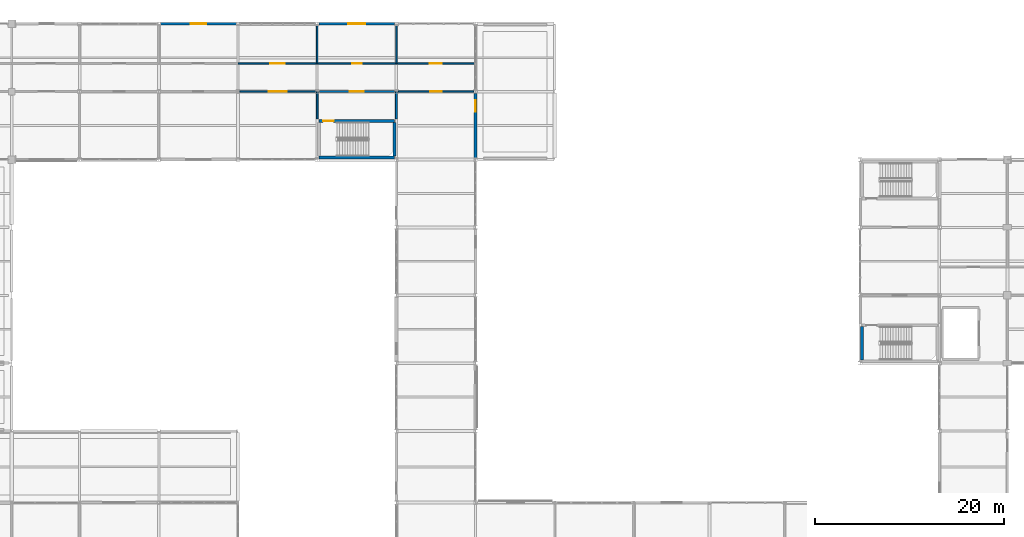
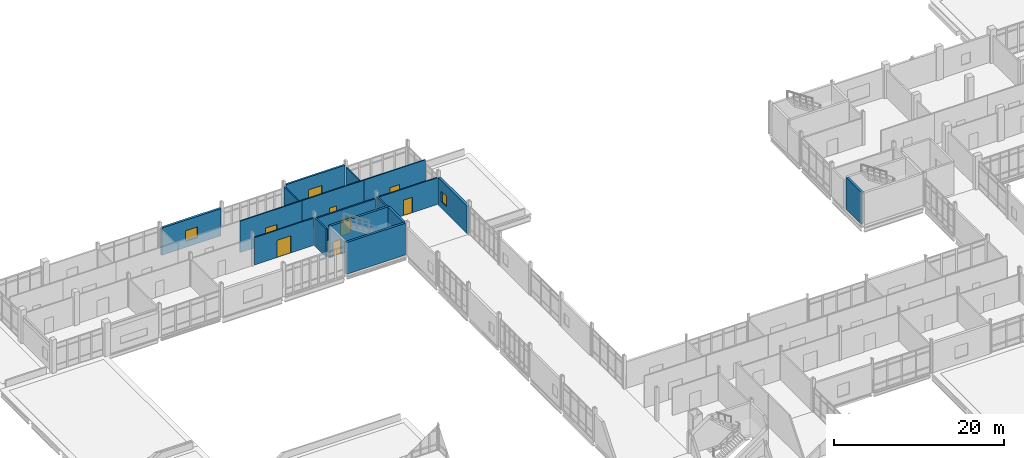
# One storey, part 165 of 186: 17 walls, 7 doors, 3 windows, 10 openings.
"""IFC4 building model written with IfcOpenShell, lengths in metres."""

from ifc_helpers import new_model, si_unit, direction, frame, frame_2d, origin, place, context, subcontext, project, spatial, rectangle, extrude, material, layer, layer_set, type_object, element, fill, save


model = new_model("IFC4")

# Units and contexts
model_context = context("Model", 3, precision=1e-05, world=origin(), true_north=direction((0.0, 1.0)))
body_context = subcontext(model_context, "Body", "Model", "MODEL_VIEW")
ifc_project = project(units=[si_unit("LENGTHUNIT", "METRE"), si_unit("AREAUNIT", "SQUARE_METRE"), si_unit("VOLUMEUNIT", "CUBIC_METRE"), si_unit("PLANEANGLEUNIT", "RADIAN"), si_unit("MASSUNIT", "GRAM", prefix="KILO")], contexts=[model_context])

# Site, building, storey
site_placement = place(None, origin())
site = spatial("IfcSite", under=ifc_project, at=site_placement, CompositionType="ELEMENT")
building_placement = place(site_placement, origin())
building = spatial("IfcBuilding", under=site, at=building_placement, Name="Calvrana Isthmian Art Gallery", CompositionType="ELEMENT")
storey_placement = place(building_placement, frame((0.0, 0.0, 5.39990234375)))
storey = spatial("IfcBuildingStorey", under=building, at=storey_placement, Name="L01", CompositionType="ELEMENT", Elevation=5.39990234375)

# Walls
ifc_material_1 = material(Name="Concrete C40/50", Category="concrete")
ifc_layer_1 = layer(ifc_material_1, 0.300048828125, Name="Concrete C40/50")
ifc_layer_set_1 = layer_set([ifc_layer_1], Name="Concrete C40/50")
wall_type_1 = type_object("IfcWallType", Name="CW-SHAFT-300", PredefinedType="SHEAR", material=ifc_layer_set_1)
wall_1_placement = place(storey_placement, frame((104.590087890625, 77.14990234375, 0.0), z_axis=(0.0, 0.0, 1.0), x_axis=(0.0, 1.0, 0.0)))
element("IfcWall", 1, at=wall_1_placement, inside=storey, type_object=wall_type_1, Name="Core C5 shear wall W L01", PredefinedType="SHEAR", context=body_context, shape_type="SweptSolid", body=[
    extrude(rectangle(XDim=3.52001953125, YDim=0.300048828125, at=frame_2d((1.760009765625, 0.0))), origin(), (0.0, 0.0, 1.0), 4.5400390625),
])
wall_2_placement = place(storey_placement, frame((46.989990234375, 98.60009765625, 0.0), z_axis=(0.0, 0.0, 1.0), x_axis=(1.0, 0.0, 0.0)))
element("IfcWall", 2, at=wall_2_placement, inside=storey, type_object=wall_type_1, Name="Core C6 shear wall S L01", PredefinedType="SHEAR", context=body_context, shape_type="SweptSolid", body=[
    extrude(rectangle(XDim=8.02001953125, YDim=0.300048828125, at=frame_2d((4.010009765625, 0.0))), origin(), (0.0, 0.0, 1.0), 4.5400390625),
])

# Wall, opening, door
wall_3_placement = place(storey_placement, frame((46.989990234375, 102.5, 0.0), z_axis=(0.0, 0.0, 1.0), x_axis=(1.0, 0.0, 0.0)))
wall_3 = element("IfcWall", 3, at=wall_3_placement, inside=storey, type_object=wall_type_1, Name="Core C6 shear wall N L01", PredefinedType="SHEAR", context=body_context, shape_type="SweptSolid", body=[
    extrude(rectangle(XDim=8.02001953125, YDim=0.300048828125, at=frame_2d((4.010009765625, 0.0))), origin(), (0.0, 0.0, 1.0), 4.5400390625),
])
opening_1_placement = place(wall_3_placement, frame((0.449951171875, 0.0, 0.0)))
opening_1 = element("IfcOpeningElement", 4, at=opening_1_placement, cuts=wall_3, Name="Opening D-170", PredefinedType="OPENING", context=body_context, shape_type="SweptSolid", body=[
    extrude(rectangle(XDim=1.10009765625, YDim=2.14990234375, at=frame_2d((0.550048828125, 1.074951171875))), frame((0.0, 0.16015625, 0.0), z_axis=(0.0, -1.0, 0.0), x_axis=(1.0, 0.0, 0.0)), (0.0, 0.0, 1.0), 0.320556640625),
])
ifc_material_2 = material(Name="Steel ASTM A572 Gr 50", Category="steel")
door_type_1 = type_object("IfcDoorType", Name="DR-FIRE-1100", OperationType="NOTDEFINED", PredefinedType="DOOR", material=ifc_material_2)
door_1_placement = place(opening_1_placement, origin())
door_1 = element("IfcDoor", 5, at=door_1_placement, inside=storey, type_object=door_type_1, Name="Stair ST-6 fire door L01", OperationType="SINGLE_SWING_RIGHT", OverallHeight=2.14990234375, OverallWidth=1.10009765625, PredefinedType="DOOR", context=body_context, shape_type="SweptSolid", body=[
    extrude(rectangle(XDim=1.10009765625, YDim=2.14990234375, at=frame_2d((0.550048828125, 1.074951171875))), frame((0.0, 0.02490234375, 0.0), z_axis=(0.0, -1.0, 0.0), x_axis=(1.0, 0.0, 0.0)), (0.0, 0.0, 1.0), 0.050048828125),
])
fill(opening_1, door_1)

# Wall
wall_4_placement = place(storey_placement, frame((55.010009765625, 98.75, 0.0), z_axis=(0.0, 0.0, 1.0), x_axis=(0.0, 1.0, 0.0)))
element("IfcWall", 6, at=wall_4_placement, inside=storey, type_object=wall_type_1, Name="Core C6 shear wall E L01", PredefinedType="SHEAR", context=body_context, shape_type="SweptSolid", body=[
    extrude(rectangle(XDim=3.60009765625, YDim=0.300048828125, at=frame_2d((1.800048828125, 0.0))), origin(), (0.0, 0.0, 1.0), 4.5400390625),
])

# Wall, opening, window
ifc_material_3 = material(Name="Pale Isthmian limestone", Category="masonry")
ifc_layer_2 = layer(ifc_material_3, 0.300048828125, Name="Pale Isthmian limestone")
ifc_layer_set_2 = layer_set([ifc_layer_2], Name="Pale Isthmian limestone")
wall_type_2 = type_object("IfcWallType", Name="EW-LIME-300", PredefinedType="SOLIDWALL", material=ifc_layer_set_2)
wall_5_placement = place(storey_placement, frame((30.185546875, 112.800048828125, 0.0), z_axis=(0.0, 0.0, 1.0), x_axis=(1.0, 0.0, 0.0)))
wall_5 = element("IfcWall", 7, at=wall_5_placement, inside=storey, type_object=wall_type_2, Name="Exterior wall EW-087", PredefinedType="SOLIDWALL", context=body_context, shape_type="SweptSolid", body=[
    extrude(rectangle(XDim=8.030517578125, YDim=0.300048828125, at=frame_2d((4.01513671875, 0.0))), origin(), (0.0, 0.0, 1.0), 3.908203125),
])
opening_2_placement = place(wall_5_placement, frame((3.190185546875, 0.0, 0.89990234375)))
opening_2 = element("IfcOpeningElement", 8, at=opening_2_placement, cuts=wall_5, Name="Opening W-051", PredefinedType="OPENING", context=body_context, shape_type="SweptSolid", body=[
    extrude(rectangle(XDim=1.64990234375, YDim=1.5, at=frame_2d((0.824951171875, 0.75))), frame((0.0, 0.16015625, 0.0), z_axis=(0.0, -1.0, 0.0), x_axis=(1.0, 0.0, 0.0)), (0.0, 0.0, 1.0), 0.320556640625),
])
ifc_material_4 = material(Name="Low-E laminated solar glass", Category="glass")
window_type_1 = type_object("IfcWindowType", Name="WN-G04", PartitioningType="SINGLE_PANEL", PredefinedType="WINDOW", material=ifc_material_4)
window_1_placement = place(opening_2_placement, origin())
window_1 = element("IfcWindow", 9, at=window_1_placement, inside=storey, type_object=window_type_1, Name="Facade window W-051", OverallHeight=1.5, OverallWidth=1.64990234375, PartitioningType="SINGLE_PANEL", PredefinedType="WINDOW", context=body_context, shape_type="SweptSolid", body=[
    extrude(rectangle(XDim=1.64990234375, YDim=1.5, at=frame_2d((0.824951171875, 0.75))), frame((0.0, 0.030029296875, 0.0), z_axis=(0.0, -1.0, 0.0), x_axis=(1.0, 0.0, 0.0)), (0.0, 0.0, 1.0), 0.06005859375),
])
fill(opening_2, window_1)

ifc_material_5 = material(Name="Precast concrete C40/50", Category="concrete")
ifc_layer_3 = layer(ifc_material_5, 0.35009765625, Name="Precast concrete C40/50")
ifc_layer_set_3 = layer_set([ifc_layer_3], Name="Precast concrete C40/50")
wall_type_3 = type_object("IfcWallType", Name="EW-PREC-350", PredefinedType="SOLIDWALL", material=ifc_layer_set_3)
wall_6_placement = place(storey_placement, frame((63.60009765625, 105.422119140625, 0.0), z_axis=(0.0, 0.0, 1.0), x_axis=(0.0, -1.0, 0.0)))
wall_6 = element("IfcWall", 10, at=wall_6_placement, inside=storey, type_object=wall_type_3, Name="Exterior wall EW-097", PredefinedType="SOLIDWALL", context=body_context, shape_type="SweptSolid", body=[
    extrude(rectangle(XDim=6.835693359375, YDim=0.35009765625, at=frame_2d((3.41796875, 0.0))), origin(), (0.0, 0.0, 1.0), 3.908203125),
])
opening_3_placement = place(wall_6_placement, frame((0.75, 0.0, 0.89990234375)))
opening_3 = element("IfcOpeningElement", 11, at=opening_3_placement, cuts=wall_6, Name="Opening W-061", PredefinedType="OPENING", context=body_context, shape_type="SweptSolid", body=[
    extrude(rectangle(XDim=1.199951171875, YDim=1.5, at=frame_2d((0.60009765625, 0.75))), frame((0.0, 0.185302734375, 0.0), z_axis=(0.0, -1.0, 0.0), x_axis=(1.0, 0.0, 0.0)), (0.0, 0.0, 1.0), 0.37060546875),
])
window_type_2 = type_object("IfcWindowType", Name="WN-G01", PartitioningType="SINGLE_PANEL", PredefinedType="WINDOW", material=ifc_material_4)
window_2_placement = place(opening_3_placement, origin())
window_2 = element("IfcWindow", 12, at=window_2_placement, inside=storey, type_object=window_type_2, Name="Facade window W-061", OverallHeight=1.5, OverallWidth=1.199951171875, PartitioningType="SINGLE_PANEL", PredefinedType="WINDOW", context=body_context, shape_type="SweptSolid", body=[
    extrude(rectangle(XDim=1.199951171875, YDim=1.5, at=frame_2d((0.60009765625, 0.75))), frame((0.0, 0.030029296875, 0.0), z_axis=(0.0, -1.0, 0.0), x_axis=(1.0, 0.0, 0.0)), (0.0, 0.0, 1.0), 0.06005859375),
])
fill(opening_3, window_2)

ifc_material_6 = material(Name="Polychrome glazed terracotta", Category="masonry")
ifc_layer_4 = layer(ifc_material_6, 0.25, Name="Polychrome glazed terracotta")
ifc_layer_set_4 = layer_set([ifc_layer_4], Name="Polychrome glazed terracotta")
wall_type_4 = type_object("IfcWallType", Name="EW-TERRA-250", PredefinedType="SOLIDWALL", material=ifc_layer_set_4)
wall_7_placement = place(storey_placement, frame((46.986572265625, 112.800048828125, 0.0), z_axis=(0.0, 0.0, 1.0), x_axis=(1.0, 0.0, 0.0)))
wall_7 = element("IfcWall", 13, at=wall_7_placement, inside=storey, type_object=wall_type_4, Name="Exterior wall EW-088", PredefinedType="SOLIDWALL", context=body_context, shape_type="SweptSolid", body=[
    extrude(rectangle(XDim=8.02685546875, YDim=0.25, at=frame_2d((4.013427734375, 0.0))), origin(), (0.0, 0.0, 1.0), 4.21533203125),
])
opening_4_placement = place(wall_7_placement, frame((3.113525390625, 0.0, 0.89990234375)))
opening_4 = element("IfcOpeningElement", 14, at=opening_4_placement, cuts=wall_7, Name="Opening W-052", PredefinedType="OPENING", context=body_context, shape_type="SweptSolid", body=[
    extrude(rectangle(XDim=1.800048828125, YDim=1.5, at=frame_2d((0.89990234375, 0.75))), frame((0.0, 0.13525390625, 0.0), z_axis=(0.0, -1.0, 0.0), x_axis=(1.0, 0.0, 0.0)), (0.0, 0.0, 1.0), 0.2705078125),
])
window_type_3 = type_object("IfcWindowType", Name="WN-G05", PartitioningType="DOUBLE_PANEL_VERTICAL", PredefinedType="WINDOW", material=ifc_material_4)
window_3_placement = place(opening_4_placement, origin())
window_3 = element("IfcWindow", 15, at=window_3_placement, inside=storey, type_object=window_type_3, Name="Facade window W-052", OverallHeight=1.5, OverallWidth=1.800048828125, PartitioningType="SINGLE_PANEL", PredefinedType="WINDOW", context=body_context, shape_type="SweptSolid", body=[
    extrude(rectangle(XDim=1.800048828125, YDim=1.5, at=frame_2d((0.89990234375, 0.75))), frame((0.0, 0.030029296875, 0.0), z_axis=(0.0, -1.0, 0.0), x_axis=(1.0, 0.0, 0.0)), (0.0, 0.0, 1.0), 0.06005859375),
])
fill(opening_4, window_3)

# Walls
ifc_material_7 = material(Name="Acoustic gypsum ceiling", Category="gypsum")
ifc_layer_5 = layer(ifc_material_7, 0.199951171875, Name="Acoustic gypsum ceiling")
ifc_layer_set_5 = layer_set([ifc_layer_5], Name="Acoustic gypsum ceiling")
wall_type_5 = type_object("IfcWallType", Name="PW-FIRE-200", PredefinedType="PARTITIONING", material=ifc_layer_set_5)
wall_8_placement = place(storey_placement, frame((46.800048828125, 102.719970703125, 0.0), z_axis=(0.0, 0.0, 1.0), x_axis=(0.0, 1.0, 0.0)))
element("IfcWall", 16, at=wall_8_placement, inside=storey, type_object=wall_type_5, Name="Core C6 lobby W closure L01", PredefinedType="PARTITIONING", context=body_context, shape_type="SweptSolid", body=[
    extrude(rectangle(XDim=2.860107421875, YDim=0.199951171875, at=frame_2d((1.43017578125, 0.0))), origin(), (0.0, 0.0, 1.0), 3.987060546875),
])
wall_9_placement = place(storey_placement, frame((55.199951171875, 102.719970703125, 0.0), z_axis=(0.0, 0.0, 1.0), x_axis=(0.0, 1.0, 0.0)))
element("IfcWall", 17, at=wall_9_placement, inside=storey, type_object=wall_type_5, Name="Core C6 lobby E closure L01", PredefinedType="PARTITIONING", context=body_context, shape_type="SweptSolid", body=[
    extrude(rectangle(XDim=2.860107421875, YDim=0.199951171875, at=frame_2d((1.43017578125, 0.0))), origin(), (0.0, 0.0, 1.0), 4.05810546875),
])

# Wall, opening, door
wall_10_placement = place(storey_placement, frame((47.02001953125, 105.60009765625, 0.0), z_axis=(0.0, 0.0, 1.0), x_axis=(1.0, 0.0, 0.0)))
wall_10 = element("IfcWall", 18, at=wall_10_placement, inside=storey, type_object=wall_type_5, Name="Core C6 lobby enclosure L01", PredefinedType="PARTITIONING", context=body_context, shape_type="SweptSolid", body=[
    extrude(rectangle(XDim=7.9599609375, YDim=0.199951171875, at=frame_2d((3.97998046875, 0.0))), origin(), (0.0, 0.0, 1.0), 3.758056640625),
])
opening_5_placement = place(wall_10_placement, frame((3.2548828125, 0.0, 0.0)))
opening_5 = element("IfcOpeningElement", 19, at=opening_5_placement, cuts=wall_10, Name="Opening D-171", PredefinedType="OPENING", context=body_context, shape_type="SweptSolid", body=[
    extrude(rectangle(XDim=1.449951171875, YDim=2.199951171875, at=frame_2d((0.72509765625, 1.10009765625))), frame((0.0, 0.1103515625, 0.0), z_axis=(0.0, -1.0, 0.0), x_axis=(1.0, 0.0, 0.0)), (0.0, 0.0, 1.0), 0.220458984375),
])
door_type_2 = type_object("IfcDoorType", Name="DR-LOBBY-1450", OperationType="DOUBLE_DOOR_SINGLE_SWING", PredefinedType="DOOR", material=ifc_material_2)
door_2_placement = place(opening_5_placement, origin())
door_2 = element("IfcDoor", 20, at=door_2_placement, inside=storey, type_object=door_type_2, Name="Core C6 lobby fire door L01", OperationType="DOUBLE_DOOR_SINGLE_SWING", OverallHeight=2.199951171875, OverallWidth=1.449951171875, PredefinedType="DOOR", context=body_context, shape_type="SweptSolid", body=[
    extrude(rectangle(XDim=1.449951171875, YDim=2.199951171875, at=frame_2d((0.72509765625, 1.10009765625))), frame((0.0, 0.02490234375, 0.0), z_axis=(0.0, -1.0, 0.0), x_axis=(1.0, 0.0, 0.0)), (0.0, 0.0, 1.0), 0.050048828125),
])
fill(opening_5, door_2)

ifc_layer_6 = layer(ifc_material_7, 0.159912109375, Name="Acoustic gypsum ceiling")
ifc_layer_set_6 = layer_set([ifc_layer_6], Name="Acoustic gypsum ceiling")
wall_type_6 = type_object("IfcWallType", Name="PW-GAL-160", PredefinedType="PARTITIONING", material=ifc_layer_set_6)
wall_11_placement = place(storey_placement, frame((38.6015625, 105.60009765625, 0.0), z_axis=(0.0, 0.0, 1.0), x_axis=(1.0, 0.0, 0.0)))
wall_11 = element("IfcWall", 21, at=wall_11_placement, inside=storey, type_object=wall_type_6, Name="Interior partition PW-431", PredefinedType="PARTITIONING", context=body_context, shape_type="SweptSolid", body=[
    extrude(rectangle(XDim=7.996826171875, YDim=0.159912109375, at=frame_2d((3.99853515625, 0.0))), origin(), (0.0, 0.0, 1.0), 3.908203125),
])
opening_6_placement = place(wall_11_placement, frame((3.048583984375, 0.0, 0.0)))
opening_6 = element("IfcOpeningElement", 22, at=opening_6_placement, cuts=wall_11, Name="Opening D-418", PredefinedType="OPENING", context=body_context, shape_type="SweptSolid", body=[
    extrude(rectangle(XDim=1.89990234375, YDim=2.449951171875, at=frame_2d((0.949951171875, 1.22509765625))), frame((0.0, 0.09033203125, 0.0), z_axis=(0.0, -1.0, 0.0), x_axis=(1.0, 0.0, 0.0)), (0.0, 0.0, 1.0), 0.180419921875),
])
ifc_material_8 = material(Name="Timber gallery flooring", Category="wood")
door_type_3 = type_object("IfcDoorType", Name="DR-GAL-1900", OperationType="DOUBLE_DOOR_SINGLE_SWING", PredefinedType="DOOR", material=ifc_material_8)
door_3_placement = place(opening_6_placement, origin())
door_3 = element("IfcDoor", 23, at=door_3_placement, inside=storey, type_object=door_type_3, Name="Interior door D-418", OperationType="DOUBLE_DOOR_SINGLE_SWING", OverallHeight=2.449951171875, OverallWidth=1.89990234375, PredefinedType="DOOR", context=body_context, shape_type="SweptSolid", body=[
    extrude(rectangle(XDim=1.89990234375, YDim=2.449951171875, at=frame_2d((0.949951171875, 1.22509765625))), frame((0.0, 0.02490234375, 0.0), z_axis=(0.0, -1.0, 0.0), x_axis=(1.0, 0.0, 0.0)), (0.0, 0.0, 1.0), 0.050048828125),
])
fill(opening_6, door_3)

wall_12_placement = place(storey_placement, frame((55.400390625, 105.60009765625, 0.0), z_axis=(0.0, 0.0, 1.0), x_axis=(1.0, 0.0, 0.0)))
wall_12 = element("IfcWall", 24, at=wall_12_placement, inside=storey, type_object=wall_type_6, Name="Interior partition PW-432", PredefinedType="PARTITIONING", context=body_context, shape_type="SweptSolid", body=[
    extrude(rectangle(XDim=8.00048828125, YDim=0.159912109375, at=frame_2d((4.000244140625, 0.0))), origin(), (0.0, 0.0, 1.0), 3.8271484375),
])
opening_7_placement = place(wall_12_placement, frame((3.400390625, 0.0, 0.0)))
opening_7 = element("IfcOpeningElement", 25, at=opening_7_placement, cuts=wall_12, Name="Opening D-419", PredefinedType="OPENING", context=body_context, shape_type="SweptSolid", body=[
    extrude(rectangle(XDim=1.199951171875, YDim=2.199951171875, at=frame_2d((0.60009765625, 1.10009765625))), frame((0.0, 0.09033203125, 0.0), z_axis=(0.0, -1.0, 0.0), x_axis=(1.0, 0.0, 0.0)), (0.0, 0.0, 1.0), 0.180419921875),
])
door_type_4 = type_object("IfcDoorType", Name="DR-RM-1200", OperationType="NOTDEFINED", PredefinedType="DOOR", material=ifc_material_8)
door_4_placement = place(opening_7_placement, origin())
door_4 = element("IfcDoor", 26, at=door_4_placement, inside=storey, type_object=door_type_4, Name="Interior door D-419", OperationType="SINGLE_SWING_LEFT", OverallHeight=2.199951171875, OverallWidth=1.199951171875, PredefinedType="DOOR", context=body_context, shape_type="SweptSolid", body=[
    extrude(rectangle(XDim=1.199951171875, YDim=2.199951171875, at=frame_2d((0.60009765625, 1.10009765625))), frame((0.0, 0.02490234375, 0.0), z_axis=(0.0, -1.0, 0.0), x_axis=(1.0, 0.0, 0.0)), (0.0, 0.0, 1.0), 0.050048828125),
])
fill(opening_7, door_4)

wall_13_placement = place(storey_placement, frame((38.409912109375, 108.610107421875, 0.0), z_axis=(0.0, 0.0, 1.0), x_axis=(1.0, 0.0, 0.0)))
wall_13 = element("IfcWall", 27, at=wall_13_placement, inside=storey, type_object=wall_type_6, Name="Interior partition PW-439", PredefinedType="PARTITIONING", context=body_context, shape_type="SweptSolid", body=[
    extrude(rectangle(XDim=8.380126953125, YDim=0.159912109375, at=frame_2d((4.18994140625, 0.0))), origin(), (0.0, 0.0, 1.0), 4.52001953125),
])
opening_8_placement = place(wall_13_placement, frame((3.4150390625, 0.0, 0.0)))
opening_8 = element("IfcOpeningElement", 28, at=opening_8_placement, cuts=wall_13, Name="Opening D-424", PredefinedType="OPENING", context=body_context, shape_type="SweptSolid", body=[
    extrude(rectangle(XDim=1.550048828125, YDim=2.300048828125, at=frame_2d((0.77490234375, 1.14990234375))), frame((0.0, 0.09033203125, 0.0), z_axis=(0.0, -1.0, 0.0), x_axis=(1.0, 0.0, 0.0)), (0.0, 0.0, 1.0), 0.180419921875),
])
door_type_5 = type_object("IfcDoorType", Name="DR-AUD-1550", OperationType="DOUBLE_DOOR_SINGLE_SWING", PredefinedType="DOOR", material=ifc_material_8)
door_5_placement = place(opening_8_placement, origin())
door_5 = element("IfcDoor", 29, at=door_5_placement, inside=storey, type_object=door_type_5, Name="Interior door D-424", OperationType="DOUBLE_DOOR_SINGLE_SWING", OverallHeight=2.300048828125, OverallWidth=1.550048828125, PredefinedType="DOOR", context=body_context, shape_type="SweptSolid", body=[
    extrude(rectangle(XDim=1.550048828125, YDim=2.300048828125, at=frame_2d((0.77490234375, 1.14990234375))), frame((0.0, 0.02490234375, 0.0), z_axis=(0.0, -1.0, 0.0), x_axis=(1.0, 0.0, 0.0)), (0.0, 0.0, 1.0), 0.050048828125),
])
fill(opening_8, door_5)

# Wall
wall_14_placement = place(storey_placement, frame((46.800048828125, 108.6201171875, 0.0), z_axis=(0.0, 0.0, 1.0), x_axis=(0.0, 1.0, 0.0)))
element("IfcWall", 30, at=wall_14_placement, inside=storey, type_object=wall_type_6, Name="Interior partition PW-440", PredefinedType="PARTITIONING", context=body_context, shape_type="SweptSolid", body=[
    extrude(rectangle(XDim=3.978271484375, YDim=0.159912109375, at=frame_2d((1.9892578125, 0.0))), origin(), (0.0, 0.0, 1.0), 4.05810546875),
])

# Wall, opening, door
wall_15_placement = place(storey_placement, frame((46.81005859375, 108.610107421875, 0.0), z_axis=(0.0, 0.0, 1.0), x_axis=(1.0, 0.0, 0.0)))
wall_15 = element("IfcWall", 31, at=wall_15_placement, inside=storey, type_object=wall_type_6, Name="Interior partition PW-441", PredefinedType="PARTITIONING", context=body_context, shape_type="SweptSolid", body=[
    extrude(rectangle(XDim=8.3798828125, YDim=0.159912109375, at=frame_2d((4.18994140625, 0.0))), origin(), (0.0, 0.0, 1.0), 4.52001953125),
])
opening_9_placement = place(wall_15_placement, frame((3.68994140625, 0.0, 0.0)))
opening_9 = element("IfcOpeningElement", 32, at=opening_9_placement, cuts=wall_15, Name="Opening D-425", PredefinedType="OPENING", context=body_context, shape_type="SweptSolid", body=[
    extrude(rectangle(XDim=1.0, YDim=2.14990234375, at=frame_2d((0.5, 1.074951171875))), frame((0.0, 0.09033203125, 0.0), z_axis=(0.0, -1.0, 0.0), x_axis=(1.0, 0.0, 0.0)), (0.0, 0.0, 1.0), 0.180419921875),
])
door_type_6 = type_object("IfcDoorType", Name="DR-RM-1000", OperationType="NOTDEFINED", PredefinedType="DOOR", material=ifc_material_8)
door_6_placement = place(opening_9_placement, origin())
door_6 = element("IfcDoor", 33, at=door_6_placement, inside=storey, type_object=door_type_6, Name="Interior door D-425", OperationType="SINGLE_SWING_LEFT", OverallHeight=2.14990234375, OverallWidth=1.0, PredefinedType="DOOR", context=body_context, shape_type="SweptSolid", body=[
    extrude(rectangle(XDim=1.0, YDim=2.14990234375, at=frame_2d((0.5, 1.074951171875))), frame((0.0, 0.02490234375, 0.0), z_axis=(0.0, -1.0, 0.0), x_axis=(1.0, 0.0, 0.0)), (0.0, 0.0, 1.0), 0.050048828125),
])
fill(opening_9, door_6)

# Wall
wall_16_placement = place(storey_placement, frame((55.199951171875, 108.6201171875, 0.0), z_axis=(0.0, 0.0, 1.0), x_axis=(0.0, 1.0, 0.0)))
element("IfcWall", 34, at=wall_16_placement, inside=storey, type_object=wall_type_6, Name="Interior partition PW-442", PredefinedType="PARTITIONING", context=body_context, shape_type="SweptSolid", body=[
    extrude(rectangle(XDim=3.98095703125, YDim=0.159912109375, at=frame_2d((1.990478515625, 0.0))), origin(), (0.0, 0.0, 1.0), 3.908203125),
])

# Wall, opening, door
wall_17_placement = place(storey_placement, frame((55.2099609375, 108.610107421875, 0.0), z_axis=(0.0, 0.0, 1.0), x_axis=(1.0, 0.0, 0.0)))
wall_17 = element("IfcWall", 35, at=wall_17_placement, inside=storey, type_object=wall_type_6, Name="Interior partition PW-443", PredefinedType="PARTITIONING", context=body_context, shape_type="SweptSolid", body=[
    extrude(rectangle(XDim=8.330078125, YDim=0.159912109375, at=frame_2d((4.1650390625, 0.0))), origin(), (0.0, 0.0, 1.0), 4.52001953125),
])
opening_10_placement = place(wall_17_placement, frame((3.514892578125, 0.0, 0.0)))
opening_10 = element("IfcOpeningElement", 36, at=opening_10_placement, cuts=wall_17, Name="Opening D-426", PredefinedType="OPENING", context=body_context, shape_type="SweptSolid", body=[
    extrude(rectangle(XDim=1.300048828125, YDim=2.199951171875, at=frame_2d((0.64990234375, 1.10009765625))), frame((0.0, 0.09033203125, 0.0), z_axis=(0.0, -1.0, 0.0), x_axis=(1.0, 0.0, 0.0)), (0.0, 0.0, 1.0), 0.180419921875),
])
door_type_7 = type_object("IfcDoorType", Name="DR-RM-1300", OperationType="NOTDEFINED", PredefinedType="DOOR", material=ifc_material_8)
door_7_placement = place(opening_10_placement, origin())
door_7 = element("IfcDoor", 37, at=door_7_placement, inside=storey, type_object=door_type_7, Name="Interior door D-426", OperationType="SINGLE_SWING_RIGHT", OverallHeight=2.199951171875, OverallWidth=1.300048828125, PredefinedType="DOOR", context=body_context, shape_type="SweptSolid", body=[
    extrude(rectangle(XDim=1.300048828125, YDim=2.199951171875, at=frame_2d((0.64990234375, 1.10009765625))), frame((0.0, 0.02490234375, 0.0), z_axis=(0.0, -1.0, 0.0), x_axis=(1.0, 0.0, 0.0)), (0.0, 0.0, 1.0), 0.050048828125),
])
fill(opening_10, door_7)

save(model, "model.ifc")
